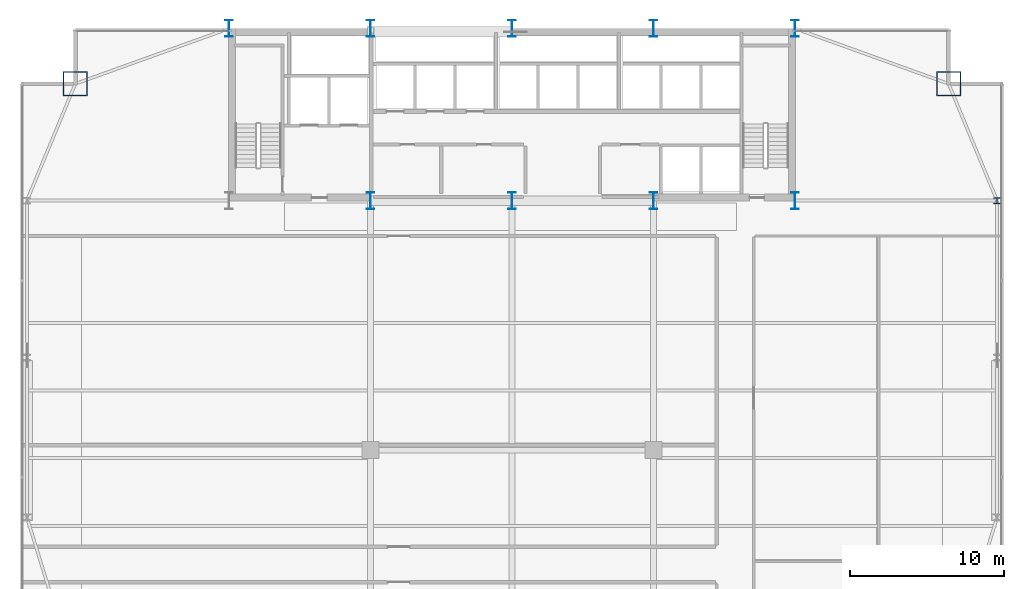
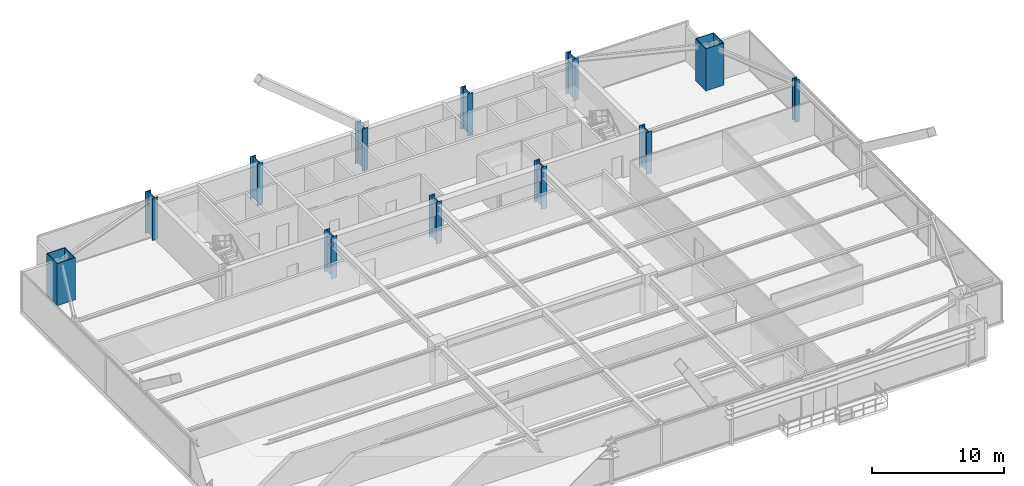
# One storey, part 2 of 34: 12 columns.
"""IFC4 building model written with IfcOpenShell, lengths in metres."""

from ifc_helpers import new_model, si_unit, direction, frame, origin, origin_2d, place, context, subcontext, project, spatial, hollow_rectangle, i_section, extrude, source, transform, mapped, material, material_profile, profile_set, type_object, type_shapes, element, save


model = new_model("IFC4")

# Units and contexts
model_context = context("Model", 3, precision=1e-05, world=origin(), true_north=direction((0.0, 1.0)))
body_context = subcontext(model_context, "Body", "Model", "MODEL_VIEW")
ifc_project = project(units=[si_unit("LENGTHUNIT", "METRE"), si_unit("AREAUNIT", "SQUARE_METRE"), si_unit("VOLUMEUNIT", "CUBIC_METRE"), si_unit("PLANEANGLEUNIT", "RADIAN"), si_unit("MASSUNIT", "GRAM", prefix="KILO")], contexts=[model_context])

# Site, building, storey
site_placement = place(None, origin())
site = spatial("IfcSite", under=ifc_project, at=site_placement, CompositionType="ELEMENT")
building_placement = place(site_placement, origin())
building = spatial("IfcBuilding", under=site, at=building_placement, Name="Varnel Quay Broadcast Tower", CompositionType="ELEMENT")
storey_placement = place(building_placement, frame((0.0, 0.0, 47.10009765625)))
storey = spatial("IfcBuildingStorey", under=building, at=storey_placement, Name="L10", CompositionType="ELEMENT", Elevation=47.10009765625)

# Columns
ifc_material_1 = material(Name="Structural Steel CSA G40.21 350WT", Category="steel")
ifc_material_profile_1 = material_profile(ifc_material_1, i_section(OverallWidth=0.5, OverallDepth=1.10009765625, WebThickness=0.01806640625, FlangeThickness=0.031982421875, FilletRadius=0.01806640625, at=origin_2d()), Name="WWF1100X418")
ifc_profile_set_1 = profile_set([ifc_material_profile_1], Name="Structural Steel CSA G40.21 350WT")
column_type_1 = type_object("IfcColumnType", Name="Col_WWF1100X418", PredefinedType="COLUMN", material=ifc_profile_set_1)
shared_shape_1 = source(origin(), body_context, "Body", "SweptSolid", [
    extrude(i_section(OverallWidth=0.5, OverallDepth=1.10009765625, WebThickness=0.01806640625, FlangeThickness=0.031982421875, FilletRadius=0.01806640625, at=origin_2d()), origin(), (0.0, 0.0, 1.0), 3.89990234375),
])
type_shapes(column_type_1, [shared_shape_1])
for number, where, z_axis, x_axis, name in (
    (1, (15.60009765625, 46.800048828125, 0.0), (0.0, 0.0, 1.0), (1.0, 0.0, 0.0), "L10 Column CC-N1"),
    (2, (24.800048828125, 35.60009765625, 0.0), (0.0, 0.0, 1.0), (1.0, 0.0, 0.0), "L10 Column CC-S2"),
    (3, (24.800048828125, 46.800048828125, 0.0), (0.0, 0.0, 1.0), (1.0, 0.0, 0.0), "L10 Column CC-N2"),
    (4, (34.0, 35.60009765625, 0.0), (0.0, 0.0, 1.0), (1.0, 0.0, 0.0), "L10 Column CC-S3"),
    (5, (34.0, 46.800048828125, 0.0), (0.0, 0.0, 1.0), (1.0, 0.0, 0.0), "L10 Column CC-N3"),
    (6, (43.199951171875, 35.60009765625, 0.0), (0.0, 0.0, 1.0), (1.0, 0.0, 0.0), "L10 Column CC-S4"),
    (7, (43.199951171875, 46.800048828125, 0.0), (0.0, 0.0, 1.0), (1.0, 0.0, 0.0), "L10 Column CC-N4"),
    (8, (52.39990234375, 35.60009765625, 0.0), (0.0, 0.0, 1.0), (1.0, 0.0, 0.0), "L10 Column CC-S5"),
    (9, (52.39990234375, 46.800048828125, 0.0), (0.0, 0.0, 1.0), (1.0, 0.0, 0.0), "L10 Column CC-N5"),
):
    element("IfcColumn", number, at=place(storey_placement, frame(where, z_axis=z_axis, x_axis=x_axis)), inside=storey, type_object=column_type_1, Name=name, PredefinedType="COLUMN", context=body_context, shape_type="MappedRepresentation", body=[
        mapped(shared_shape_1, transform((0.0, 0.0, 0.0), x_axis=(1.0, 0.0, 0.0), y_axis=(0.0, 1.0, 0.0), z_axis=(0.0, 0.0, 1.0), scale=1.0)),
    ])
ifc_material_profile_2 = material_profile(ifc_material_1, hollow_rectangle(XDim=1.60009765625, YDim=1.60009765625, WallThickness=0.06005859375, at=origin_2d()), Name="BOX1600X1600X60")
ifc_profile_set_2 = profile_set([ifc_material_profile_2], Name="Structural Steel CSA G40.21 350WT")
column_type_2 = type_object("IfcColumnType", Name="Col_BOX1600X1600X60", PredefinedType="COLUMN", material=ifc_profile_set_2)
shared_shape_2 = source(origin(), body_context, "Body", "SweptSolid", [
    extrude(hollow_rectangle(XDim=1.60009765625, YDim=1.60009765625, WallThickness=0.06005859375, at=origin_2d()), origin(), (0.0, 0.0, 1.0), 3.89990234375),
])
type_shapes(column_type_2, [shared_shape_2])
for number, where, z_axis, x_axis, name in (
    (10, (62.39990234375, 43.199951171875, 0.0), (0.0, 0.0, 1.0), (1.0, 0.0, 0.0), "L10 Column MC-NE"),
    (11, (5.60009765625, 43.199951171875, 0.0), (0.0, 0.0, 1.0), (1.0, 0.0, 0.0), "L10 Column MC-NW"),
):
    element("IfcColumn", number, at=place(storey_placement, frame(where, z_axis=z_axis, x_axis=x_axis)), inside=storey, type_object=column_type_2, Name=name, PredefinedType="COLUMN", context=body_context, shape_type="MappedRepresentation", body=[
        mapped(shared_shape_2, transform((0.0, 0.0, 0.0), x_axis=(1.0, 0.0, 0.0), y_axis=(0.0, 1.0, 0.0), z_axis=(0.0, 0.0, 1.0), scale=1.0)),
    ])
ifc_material_2 = material(Name="Structural Steel CSA G40.21 350W", Category="steel")
ifc_material_profile_3 = material_profile(ifc_material_2, i_section(OverallWidth=0.404052734375, OverallDepth=0.406982421875, WebThickness=0.027099609375, FlangeThickness=0.043701171875, FilletRadius=0.01806640625, at=origin_2d()), Name="W360X347")
ifc_profile_set_3 = profile_set([ifc_material_profile_3], Name="Structural Steel CSA G40.21 350W")
column_type_3 = type_object("IfcColumnType", Name="Col_W360X347", PredefinedType="COLUMN", material=ifc_profile_set_3)
shared_shape_3 = source(origin(), body_context, "Body", "SweptSolid", [
    extrude(i_section(OverallWidth=0.404052734375, OverallDepth=0.406982421875, WebThickness=0.027099609375, FlangeThickness=0.043701171875, FilletRadius=0.01806640625, at=origin_2d()), origin(), (0.0, 0.0, 1.0), 3.89990234375),
])
type_shapes(column_type_3, [shared_shape_3])
column_placement = place(storey_placement, frame((65.550048828125, 35.60009765625, 0.0), z_axis=(0.0, 0.0, 1.0), x_axis=(1.0, 0.0, 0.0)))
element("IfcColumn", 12, at=column_placement, inside=storey, type_object=column_type_3, Name="L10 Column TC-E3", PredefinedType="COLUMN", context=body_context, shape_type="MappedRepresentation", body=[
    mapped(shared_shape_3, transform((0.0, 0.0, 0.0), x_axis=(1.0, 0.0, 0.0), y_axis=(0.0, 1.0, 0.0), z_axis=(0.0, 0.0, 1.0), scale=1.0)),
])

save(model, "model.ifc")
